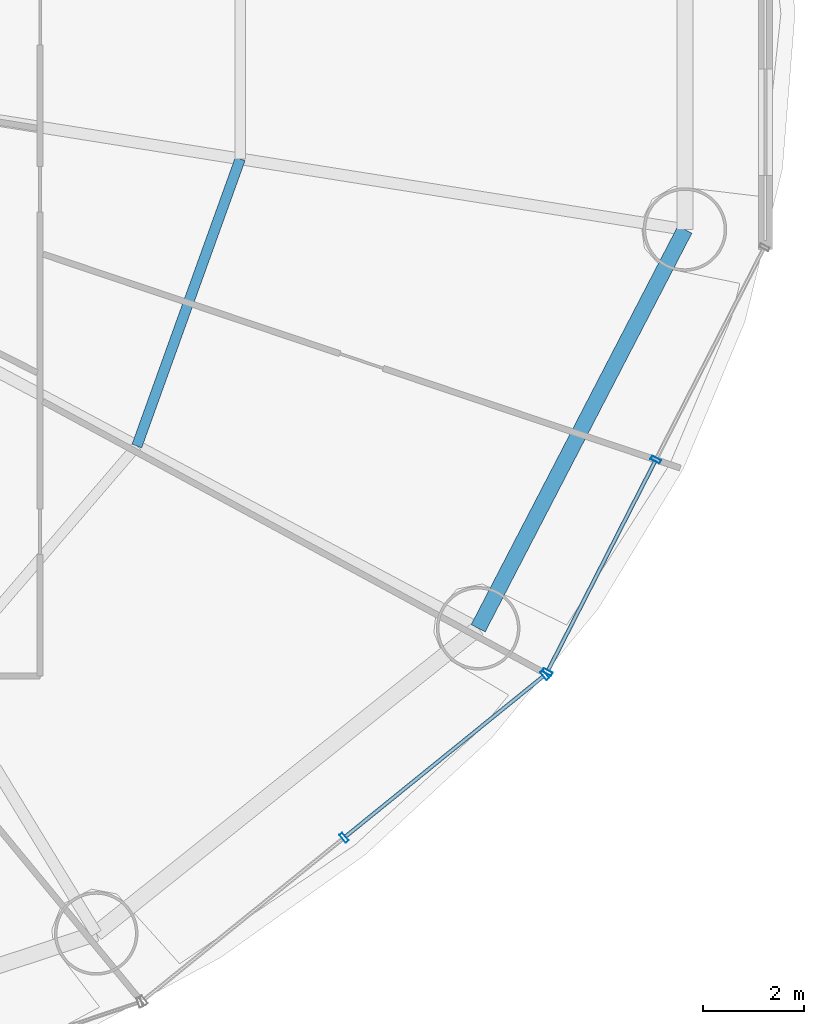
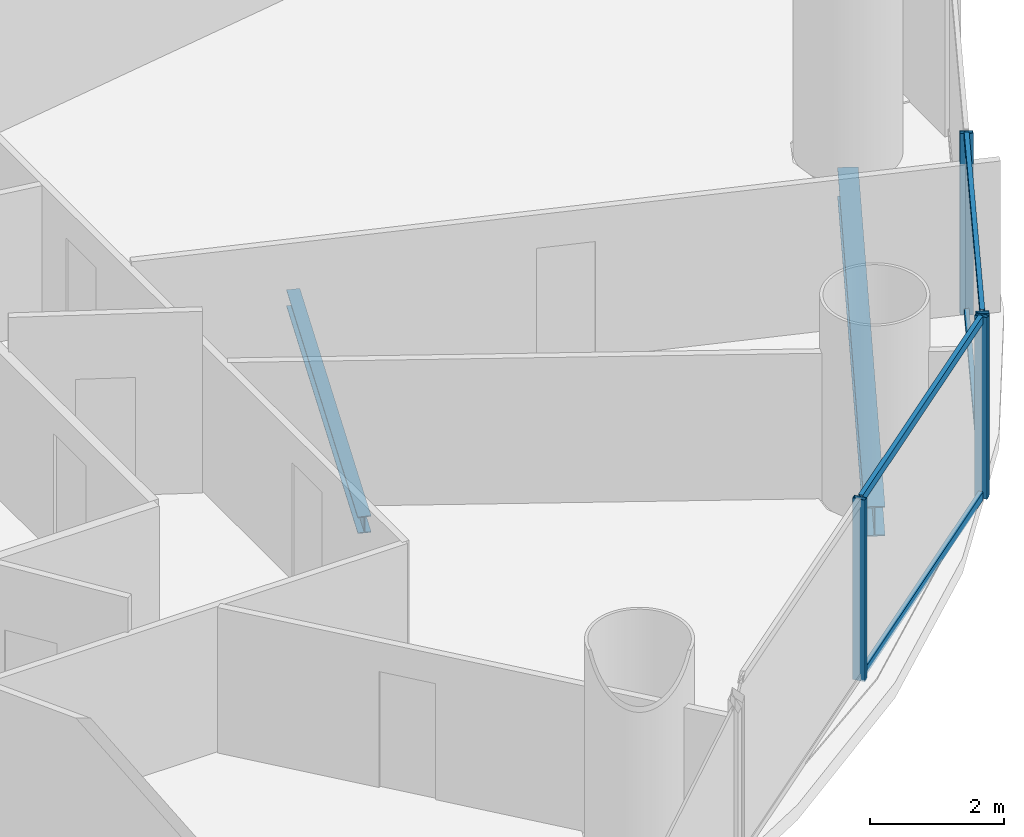
# One storey, part 10 of 28: 8 members, 2 beams, 2 elements without a shape of their own.
"""IFC4 building model written with IfcOpenShell, lengths in metres."""

from ifc_helpers import new_model, si_unit, direction, frame, origin, origin_2d, place, context, subcontext, project, spatial, hollow_rectangle, i_section, extrude, source, transform, mapped, material, material_profile, profile_set, type_object, element, aggregate, save


model = new_model("IFC4")

# Units and contexts
model_context = context("Model", 3, precision=1e-05, world=origin(), true_north=direction((-0.2419218956, 0.970295726276)))
body_context = subcontext(model_context, "Body", "Model", "MODEL_VIEW")
ifc_project = project(units=[si_unit("LENGTHUNIT", "METRE"), si_unit("AREAUNIT", "SQUARE_METRE"), si_unit("VOLUMEUNIT", "CUBIC_METRE"), si_unit("PLANEANGLEUNIT", "RADIAN"), si_unit("MASSUNIT", "GRAM", prefix="KILO")], contexts=[model_context])

# Site, building, storey
site_placement = place(None, origin())
site = spatial("IfcSite", under=ifc_project, at=site_placement, CompositionType="ELEMENT")
building_placement = place(site_placement, origin())
building = spatial("IfcBuilding", under=site, at=building_placement, Name="Cobrevalo Terracotta Tower", CompositionType="ELEMENT")
storey_placement = place(building_placement, frame((0.0, 0.0, 34.800048828125)))
storey = spatial("IfcBuildingStorey", under=building, at=storey_placement, Name="L08", CompositionType="ELEMENT", Elevation=34.800048828125)

# Beams
ifc_material_1 = material(Name="Steel S355", Category="steel")
ifc_material_profile_1 = material_profile(ifc_material_1, i_section(OverallWidth=0.2041015625, OverallDepth=0.305908203125, WebThickness=0.008544921875, FlangeThickness=0.0146484375, at=origin_2d()), Name="W 310x67")
ifc_profile_set_1 = profile_set([ifc_material_profile_1], Name="Steel S355")
beam_type_1 = type_object("IfcBeamType", Name="Structural Joist W 310x67 (Steel S355)", PredefinedType="JOIST", material=ifc_profile_set_1)
beam_1_placement = place(storey_placement, frame((53.997802734375, 18.26025390625, -0.43310546875), z_axis=(0.338672151116, 0.940904444701, 0.0), x_axis=(-0.940904444701, 0.338672151116, 0.0)))
element("IfcBeam", 1, at=beam_1_placement, inside=storey, type_object=beam_type_1, Name="L08 circumferential secondary floor joist 15", PredefinedType="JOIST", context=body_context, shape_type="SweptSolid", body=[
    extrude(i_section(OverallWidth=0.2041015625, OverallDepth=0.305908203125, WebThickness=0.008544921875, FlangeThickness=0.0146484375, at=origin_2d()), origin(), (0.0, 0.0, 1.0), 6.029296875),
])
ifc_material_profile_2 = material_profile(ifc_material_1, i_section(OverallWidth=0.31201171875, OverallDepth=0.54296875, WebThickness=0.0126953125, FlangeThickness=0.020263671875, at=origin_2d()), Name="W 530x150")
ifc_profile_set_2 = profile_set([ifc_material_profile_2], Name="Steel S355")
beam_type_2 = type_object("IfcBeamType", Name="Structural Spandrel W 530x150 (Steel S355)", PredefinedType="SPANDREL", material=ifc_profile_set_2)
beam_2_placement = place(storey_placement, frame((60.74072265625, 14.660888671875, -0.551513671875), z_axis=(0.460285838799, 0.88777077368, 0.0), x_axis=(-0.88777077368, 0.460285838799, 0.0)))
element("IfcBeam", 2, at=beam_2_placement, inside=storey, type_object=beam_type_2, Name="L08 perimeter ring spandrel 15", PredefinedType="SPANDREL", context=body_context, shape_type="SweptSolid", body=[
    extrude(i_section(OverallWidth=0.31201171875, OverallDepth=0.54296875, WebThickness=0.0126953125, FlangeThickness=0.020263671875, at=origin_2d()), origin(), (0.0, 0.0, 1.0), 8.8720703125),
])

# Curtain wall, members
ifc_material_2 = material(Name="Anodized aluminium", Category="aluminium")
curtain_wall_type = type_object("IfcCurtainWallType", Name="Lower-tower unitised acoustic low-E curtain wall CW-U1", PredefinedType="NOTDEFINED", material=ifc_material_2)
curtain_wall_1_placement = place(storey_placement, origin())
curtain_wall_1 = element("IfcCurtainWall", 3, at=curtain_wall_1_placement, inside=storey, type_object=curtain_wall_type, Name="L08 curtain wall CW-L08-S14", PredefinedType="NOTDEFINED")
ifc_material_profile_3 = material_profile(ifc_material_2, hollow_rectangle(XDim=0.074951171875, YDim=0.199951171875, WallThickness=0.0048828125, at=origin_2d()), Name="CWM 75x200")
ifc_profile_set_3 = profile_set([ifc_material_profile_3], Name="Anodized aluminium")
member_type_1 = type_object("IfcMemberType", Name="Lower/mid tower unitised mullion 75x200", PredefinedType="MULLION", material=ifc_profile_set_3)
shared_shape_1 = source(origin(), body_context, "Body", "SweptSolid", [
    extrude(hollow_rectangle(XDim=0.074951171875, YDim=0.199951171875, WallThickness=0.0048828125, at=origin_2d()), origin(), (0.0, 0.0, 1.0), 3.320068359375),
])
member_1_placement = place(storey_placement, frame((58.09130859375, 10.523193359375, 0.0), z_axis=(0.0, 0.0, 1.0), x_axis=(0.777003153187, 0.629496703675, 0.0)))
member_1 = element("IfcMember", 4, at=member_1_placement, type_object=member_type_1, Name="CW-L08-S14 vertical mullion 02", PredefinedType="MULLION", context=body_context, shape_type="MappedRepresentation", body=[
    mapped(shared_shape_1, transform((0.0, 0.0, 0.0), scale=1.0)),
])
member_2_placement = place(storey_placement, frame((62.056640625, 13.735595703125, 0.0), z_axis=(0.0, 0.0, 1.0), x_axis=(0.777003153187, 0.629496703675, 0.0)))
member_2 = element("IfcMember", 5, at=member_2_placement, type_object=member_type_1, Name="CW-L08-S14 vertical mullion 03", PredefinedType="MULLION", context=body_context, shape_type="MappedRepresentation", body=[
    mapped(shared_shape_1, transform((0.0, 0.0, 0.0), scale=1.0)),
])

curtain_wall_2_placement = place(storey_placement, origin())
curtain_wall_2 = element("IfcCurtainWall", 6, at=curtain_wall_2_placement, inside=storey, type_object=curtain_wall_type, Name="L08 curtain wall CW-L08-S15", PredefinedType="NOTDEFINED")
member_3_placement = place(storey_placement, frame((62.10595703125, 13.79638671875, 0.0), z_axis=(0.0, 0.0, 1.0), x_axis=(0.455234136597, 0.890371765543, 0.0)))
member_3 = element("IfcMember", 7, at=member_3_placement, type_object=member_type_1, Name="CW-L08-S15 vertical mullion 01", PredefinedType="MULLION", context=body_context, shape_type="MappedRepresentation", body=[
    mapped(shared_shape_1, transform((0.0, 0.0, 0.0), scale=1.0)),
])
member_4_placement = place(storey_placement, frame((64.25048828125, 17.990966796875, 0.0), z_axis=(0.0, 0.0, 1.0), x_axis=(0.455234136597, 0.890371765543, 0.0)))
member_4 = element("IfcMember", 8, at=member_4_placement, type_object=member_type_1, Name="CW-L08-S15 vertical mullion 02", PredefinedType="MULLION", context=body_context, shape_type="MappedRepresentation", body=[
    mapped(shared_shape_1, transform((0.0, 0.0, 0.0), scale=1.0)),
])

# Member
ifc_material_profile_4 = material_profile(ifc_material_2, hollow_rectangle(XDim=0.074951171875, YDim=0.14990234375, WallThickness=0.00439453125, at=origin_2d()), Name="CWT 75x150")
ifc_profile_set_4 = profile_set([ifc_material_profile_4], Name="Anodized aluminium")
member_type_2 = type_object("IfcMemberType", Name="Tower unitised aluminium transom 75x150", PredefinedType="USERDEFINED", material=ifc_profile_set_4)
shared_shape_2 = source(origin(), body_context, "Body", "SweptSolid", [
    extrude(hollow_rectangle(XDim=0.074951171875, YDim=0.14990234375, WallThickness=0.00439453125, at=origin_2d()), origin(), (0.0, 0.0, 1.0), 5.0234375),
])
member_5_placement = place(storey_placement, frame((58.122314453125, 10.54833984375, 0.050048828125), z_axis=(0.777022991593, 0.629472215857, 0.0), x_axis=(-0.629472215857, 0.777022991593, 0.0)))
member_5 = element("IfcMember", 9, at=member_5_placement, type_object=member_type_2, Name="CW-L08-S14 transom B02-T1", ObjectType="TRANSOM", PredefinedType="USERDEFINED", context=body_context, shape_type="MappedRepresentation", body=[
    mapped(shared_shape_2, transform((0.0, 0.0, 0.0), scale=1.0)),
])

member_6_placement = place(storey_placement, frame((58.122314453125, 10.54833984375, 3.27001953125), z_axis=(0.777022991593, 0.629472215857, 0.0), x_axis=(-0.629472215857, 0.777022991593, 0.0)))
member_6 = element("IfcMember", 10, at=member_6_placement, type_object=member_type_2, Name="CW-L08-S14 transom B02-T2", ObjectType="TRANSOM", PredefinedType="USERDEFINED", context=body_context, shape_type="MappedRepresentation", body=[
    mapped(shared_shape_2, transform((0.0, 0.0, 0.0), scale=1.0)),
])

aggregate(curtain_wall_1, [member_1, member_2, member_5, member_6])

shared_shape_3 = source(origin(), body_context, "Body", "SweptSolid", [
    extrude(hollow_rectangle(XDim=0.074951171875, YDim=0.14990234375, WallThickness=0.00439453125, at=origin_2d()), origin(), (0.0, 0.0, 1.0), 4.631103515625),
])
member_7_placement = place(storey_placement, frame((62.1240234375, 13.83203125, 0.050048828125), z_axis=(0.455271744945, 0.89035253594, 0.0), x_axis=(-0.89035253594, 0.455271744945, 0.0)))
member_7 = element("IfcMember", 11, at=member_7_placement, type_object=member_type_2, Name="CW-L08-S15 transom B01-T1", ObjectType="TRANSOM", PredefinedType="USERDEFINED", context=body_context, shape_type="MappedRepresentation", body=[
    mapped(shared_shape_3, transform((0.0, 0.0, 0.0), scale=1.0)),
])

member_8_placement = place(storey_placement, frame((62.1240234375, 13.83203125, 3.27001953125), z_axis=(0.455271744945, 0.89035253594, 0.0), x_axis=(-0.89035253594, 0.455271744945, 0.0)))
member_8 = element("IfcMember", 12, at=member_8_placement, type_object=member_type_2, Name="CW-L08-S15 transom B01-T2", ObjectType="TRANSOM", PredefinedType="USERDEFINED", context=body_context, shape_type="MappedRepresentation", body=[
    mapped(shared_shape_3, transform((0.0, 0.0, 0.0), scale=1.0)),
])

aggregate(curtain_wall_2, [member_3, member_4, member_7, member_8])

save(model, "model.ifc")
